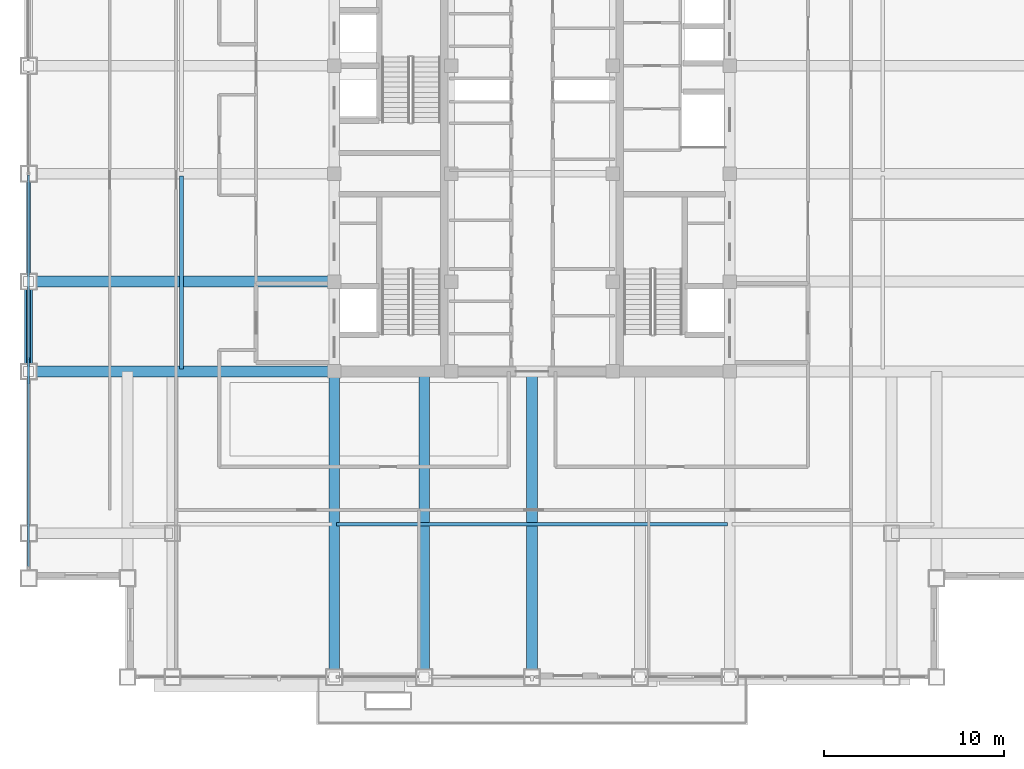
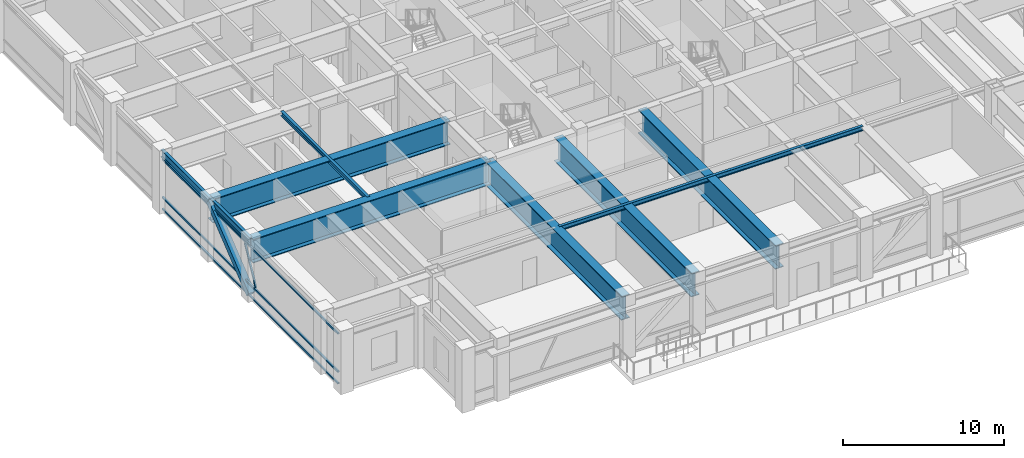
# One storey, part 5 of 31: 9 beams, 5 members, 1 element without a shape of its own.
"""IFC4 building model written with IfcOpenShell, lengths in metres."""

from ifc_helpers import new_model, si_unit, direction, frame, origin, origin_2d, place, context, subcontext, project, spatial, hollow_rectangle, i_section, extrude, source, transform, mapped, material, material_profile, profile_set, type_object, element, aggregate, save


model = new_model("IFC4")

# Units and contexts
model_context = context("Model", 3, precision=1e-05, world=origin(), true_north=direction((0.0, 1.0)))
body_context = subcontext(model_context, "Body", "Model", "MODEL_VIEW")
ifc_project = project(units=[si_unit("LENGTHUNIT", "METRE"), si_unit("AREAUNIT", "SQUARE_METRE"), si_unit("VOLUMEUNIT", "CUBIC_METRE"), si_unit("PLANEANGLEUNIT", "RADIAN"), si_unit("MASSUNIT", "GRAM", prefix="KILO")], contexts=[model_context])

# Site, building, storey
site_placement = place(None, origin())
site = spatial("IfcSite", under=ifc_project, at=site_placement, CompositionType="ELEMENT")
building_placement = place(site_placement, origin())
building = spatial("IfcBuilding", under=site, at=building_placement, Name="Khorayat Bourse Tower", CompositionType="ELEMENT")
storey_placement = place(building_placement, frame((0.0, 0.0, 321.5)))
storey = spatial("IfcBuildingStorey", under=building, at=storey_placement, Name="L76", CompositionType="ELEMENT", Elevation=321.5)

# Beams
ifc_material_1 = material(Name="Steel EN 10025-4 S460M", Category="steel")
ifc_material_profile_1 = material_profile(ifc_material_1, i_section(OverallWidth=0.60009765625, OverallDepth=1.800048828125, WebThickness=0.031982421875, FlangeThickness=0.06005859375, at=origin_2d()), Name="PG 1800x600x32x60")
ifc_profile_set_1 = profile_set([ifc_material_profile_1], Name="Steel EN 10025-4 S460M")
beam_type_1 = type_object("IfcBeamType", Name="BM-TR-1800", PredefinedType="BEAM", material=ifc_profile_set_1)
shared_shape_1 = source(origin(), body_context, "Body", "SweptSolid", [
    extrude(i_section(OverallWidth=0.60009765625, OverallDepth=1.800048828125, WebThickness=0.031982421875, FlangeThickness=0.06005859375, at=origin_2d()), origin(), (0.0, 0.0, 1.0), 17.0),
])
for number, where, z_axis, x_axis, name in (
    (1, (-11.0, -28.0, 3.60009765625), (0.0, 1.0, 0.0), (-1.0, 0.0, 0.0), "L76 BM-TR-1800 BM-L76-RADY-065"),
    (2, (-6.0, -28.0, 3.60009765625), (0.0, 1.0, 0.0), (-1.0, 0.0, 0.0), "L76 BM-TR-1800 BM-L76-RADY-067"),
    (3, (0.0, -28.0, 3.60009765625), (0.0, 1.0, 0.0), (-1.0, 0.0, 0.0), "L76 BM-TR-1800 BM-L76-RADY-069"),
    (4, (-28.0, -11.0, 3.639892578125), (1.0, 0.0, 0.0), (0.0, 1.0, 0.0), "L76 BM-TR-1800 BM-L76-RADX-075"),
    (5, (-28.0, -6.0, 3.639892578125), (1.0, 0.0, 0.0), (0.0, 1.0, 0.0), "L76 BM-TR-1800 BM-L76-RADX-077"),
):
    element("IfcBeam", number, at=place(storey_placement, frame(where, z_axis=z_axis, x_axis=x_axis)), inside=storey, type_object=beam_type_1, Name=name, PredefinedType="BEAM", context=body_context, shape_type="MappedRepresentation", body=[
        mapped(shared_shape_1, transform((0.0, 0.0, 0.0), scale=1.0)),
    ])
ifc_material_2 = material(Name="Steel ASTM A992 Grade 50", Category="steel")
ifc_material_profile_2 = material_profile(ifc_material_2, i_section(OverallWidth=0.202880859375, OverallDepth=0.346923828125, WebThickness=0.0078125, FlangeThickness=0.013427734375, FilletRadius=0.010009765625, at=origin_2d()), Name="W360X64")
ifc_profile_set_2 = profile_set([ifc_material_profile_2], Name="Steel ASTM A992 Grade 50")
beam_type_2 = type_object("IfcBeamType", Name="BM-JOIST-360", PredefinedType="JOIST", material=ifc_profile_set_2)
shared_shape_2 = source(origin(), body_context, "Body", "SweptSolid", [
    extrude(i_section(OverallWidth=0.202880859375, OverallDepth=0.346923828125, WebThickness=0.0078125, FlangeThickness=0.013427734375, FilletRadius=0.010009765625, at=origin_2d()), origin(), (0.0, 0.0, 1.0), 21.740234375),
])
beam_1_placement = place(storey_placement, frame((-10.8701171875, -19.5, 4.366455078125), z_axis=(1.0, 0.0, 0.0), x_axis=(0.0, 1.0, 0.0)))
element("IfcBeam", 6, at=beam_1_placement, inside=storey, type_object=beam_type_2, Name="L76 BM-JOIST-360 BM-L76-JSTX-097", PredefinedType="JOIST", context=body_context, shape_type="MappedRepresentation", body=[
    mapped(shared_shape_2, transform((0.0, 0.0, 0.0), scale=1.0)),
])
shared_shape_3 = source(origin(), body_context, "Body", "SweptSolid", [
    extrude(i_section(OverallWidth=0.202880859375, OverallDepth=0.346923828125, WebThickness=0.0078125, FlangeThickness=0.013427734375, FilletRadius=0.010009765625, at=origin_2d()), origin(), (0.0, 0.0, 1.0), 10.740234375),
])
beam_2_placement = place(storey_placement, frame((-19.5, -10.8701171875, 4.366455078125), z_axis=(0.0, 1.0, 0.0), x_axis=(-1.0, 0.0, 0.0)))
element("IfcBeam", 7, at=beam_2_placement, inside=storey, type_object=beam_type_2, Name="L76 BM-JOIST-360 BM-L76-JSTY-102", PredefinedType="JOIST", context=body_context, shape_type="MappedRepresentation", body=[
    mapped(shared_shape_3, transform((0.0, 0.0, 0.0), scale=1.0)),
])
ifc_material_profile_3 = material_profile(ifc_material_2, i_section(OverallWidth=0.214111328125, OverallDepth=0.549072265625, WebThickness=0.0146484375, FlangeThickness=0.023681640625, FilletRadius=0.013916015625, at=origin_2d()), Name="W530X138")
ifc_profile_set_3 = profile_set([ifc_material_profile_3], Name="Steel ASTM A992 Grade 50")
beam_type_3 = type_object("IfcBeamType", Name="BM-SPAN-530", PredefinedType="SPANDREL", material=ifc_profile_set_3)
shared_shape_4 = source(origin(), body_context, "Body", "SweptSolid", [
    extrude(i_section(OverallWidth=0.214111328125, OverallDepth=0.549072265625, WebThickness=0.0146484375, FlangeThickness=0.023681640625, FilletRadius=0.013916015625, at=origin_2d()), origin(), (0.0, 0.0, 1.0), 5.0),
])
beam_3_placement = place(storey_placement, frame((-28.0, -11.0, 4.265380859375), z_axis=(0.0, 1.0, 0.0), x_axis=(-1.0, 0.0, 0.0)))
element("IfcBeam", 8, at=beam_3_placement, inside=storey, type_object=beam_type_3, Name="L76 BM-SPAN-530 BM-L76-SPN-059", PredefinedType="SPANDREL", context=body_context, shape_type="MappedRepresentation", body=[
    mapped(shared_shape_4, transform((0.0, 0.0, 0.0), scale=1.0)),
])
shared_shape_5 = source(origin(), body_context, "Body", "SweptSolid", [
    extrude(i_section(OverallWidth=0.214111328125, OverallDepth=0.549072265625, WebThickness=0.0146484375, FlangeThickness=0.023681640625, FilletRadius=0.013916015625, at=origin_2d()), origin(), (0.0, 0.0, 1.0), 6.0),
])
beam_4_placement = place(storey_placement, frame((-28.0, -6.0, 4.265380859375), z_axis=(0.0, 1.0, 0.0), x_axis=(-1.0, 0.0, 0.0)))
element("IfcBeam", 9, at=beam_4_placement, inside=storey, type_object=beam_type_3, Name="L76 BM-SPAN-530 BM-L76-SPN-058", PredefinedType="SPANDREL", context=body_context, shape_type="MappedRepresentation", body=[
    mapped(shared_shape_5, transform((0.0, 0.0, 0.0), scale=1.0)),
])

# Member
ifc_material_profile_4 = material_profile(ifc_material_1, hollow_rectangle(XDim=0.449951171875, YDim=0.449951171875, WallThickness=0.02490234375, at=origin_2d()), Name="HSS 450x450x25")
ifc_profile_set_4 = profile_set([ifc_material_profile_4], Name="Steel EN 10025-4 S460M")
member_type_1 = type_object("IfcMemberType", Name="MBR-TUBE-450", PredefinedType="BRACE", material=ifc_profile_set_4)
shared_shape_6 = source(origin(), body_context, "Body", "SweptSolid", [
    extrude(hollow_rectangle(XDim=0.449951171875, YDim=0.449951171875, WallThickness=0.02490234375, at=origin_2d()), origin(), (0.0, 0.0, 1.0), 6.42822265625),
])
member_1_placement = place(storey_placement, frame((-28.0, -11.0, 0.25), z_axis=(0.0, 0.777821209127, 0.628485613703), x_axis=(-1.0, 0.0, 0.0)))
element("IfcMember", 10, at=member_1_placement, inside=storey, type_object=member_type_1, Name="L76 Perimeter Tube Brace 05", PredefinedType="BRACE", context=body_context, shape_type="MappedRepresentation", body=[
    mapped(shared_shape_6, transform((0.0, 0.0, 0.0), scale=1.0)),
])

# Curtain wall, members
ifc_material_3 = material(Name="Aluminium EN AW-6063 T6", Category="aluminium")
curtain_wall_type = type_object("IfcCurtainWallType", Name="CW-SYS-05", PredefinedType="NOTDEFINED", material=ifc_material_3)
curtain_wall_placement = place(storey_placement, origin())
curtain_wall = element("IfcCurtainWall", 11, at=curtain_wall_placement, inside=storey, type_object=curtain_wall_type, Name="L76 Curtain Wall CW-L76-W1", PredefinedType="NOTDEFINED")
ifc_material_profile_5 = material_profile(ifc_material_3, hollow_rectangle(XDim=0.1201171875, YDim=0.1201171875, WallThickness=0.0048828125, at=origin_2d()), Name="ALU 120x120x5")
ifc_profile_set_5 = profile_set([ifc_material_profile_5], Name="Aluminium EN AW-6063 T6")
member_type_2 = type_object("IfcMemberType", Name="CWM-DIAG-120", PredefinedType="MULLION", material=ifc_profile_set_5)
shared_shape_7 = source(origin(), body_context, "Body", "SweptSolid", [
    extrude(hollow_rectangle(XDim=0.1201171875, YDim=0.1201171875, WallThickness=0.0048828125, at=origin_2d()), origin(), (0.0, 0.0, 1.0), 2.93798828125),
])
member_2_placement = place(storey_placement, frame((-28.0, -11.649169921875, 1.090087890625), z_axis=(0.0, 0.465763557035, 0.884909209432), x_axis=(-1.0, 0.0, 0.0)))
member_2 = element("IfcMember", 12, at=member_2_placement, type_object=member_type_2, Name="CW-L76-W1 Faceted Diagonal Mullion 1", PredefinedType="MULLION", context=body_context, shape_type="MappedRepresentation", body=[
    mapped(shared_shape_7, transform((0.0, 0.0, 0.0), scale=1.0)),
])
ifc_material_profile_6 = material_profile(ifc_material_3, hollow_rectangle(XDim=0.1201171875, YDim=0.1201171875, WallThickness=0.0048828125, at=origin_2d()), Name="ALU 120x120x5")
ifc_profile_set_6 = profile_set([ifc_material_profile_6], Name="Aluminium EN AW-6063 T6")
member_type_3 = type_object("IfcMemberType", Name="CWT-HORZ-120", PredefinedType="USERDEFINED", material=ifc_profile_set_6)
shared_shape_8 = source(origin(), body_context, "Body", "SweptSolid", [
    extrude(hollow_rectangle(XDim=0.1201171875, YDim=0.1201171875, WallThickness=0.0048828125, at=origin_2d()), origin(), (0.0, 0.0, 1.0), 21.7900390625),
])
member_3_placement = place(storey_placement, frame((-28.0, -21.860107421875, 0.06005859375), z_axis=(0.0, 1.0, 0.0), x_axis=(-1.0, 0.0, 0.0)))
member_3 = element("IfcMember", 13, at=member_3_placement, type_object=member_type_3, Name="CW-L76-W1 Horizontal Transom 1-1", ObjectType="TRANSOM", PredefinedType="USERDEFINED", context=body_context, shape_type="MappedRepresentation", body=[
    mapped(shared_shape_8, transform((0.0, 0.0, 0.0), scale=1.0)),
])
member_4_placement = place(storey_placement, frame((-28.0, -21.860107421875, 0.949951171875), z_axis=(0.0, 1.0, 0.0), x_axis=(-1.0, 0.0, 0.0)))
member_4 = element("IfcMember", 14, at=member_4_placement, type_object=member_type_3, Name="CW-L76-W1 Horizontal Transom 1-2", ObjectType="TRANSOM", PredefinedType="USERDEFINED", context=body_context, shape_type="MappedRepresentation", body=[
    mapped(shared_shape_8, transform((0.0, 0.0, 0.0), scale=1.0)),
])
member_5_placement = place(storey_placement, frame((-28.0, -21.860107421875, 3.830078125), z_axis=(0.0, 1.0, 0.0), x_axis=(-1.0, 0.0, 0.0)))
member_5 = element("IfcMember", 15, at=member_5_placement, type_object=member_type_3, Name="CW-L76-W1 Horizontal Transom 1-3", ObjectType="TRANSOM", PredefinedType="USERDEFINED", context=body_context, shape_type="MappedRepresentation", body=[
    mapped(shared_shape_8, transform((0.0, 0.0, 0.0), scale=1.0)),
])
aggregate(curtain_wall, [member_3, member_4, member_5, member_2])

save(model, "model.ifc")
